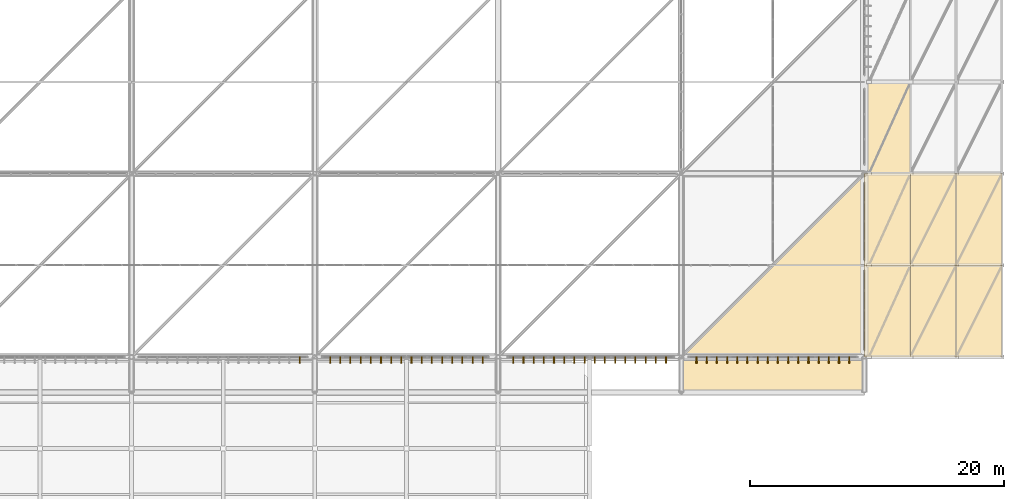
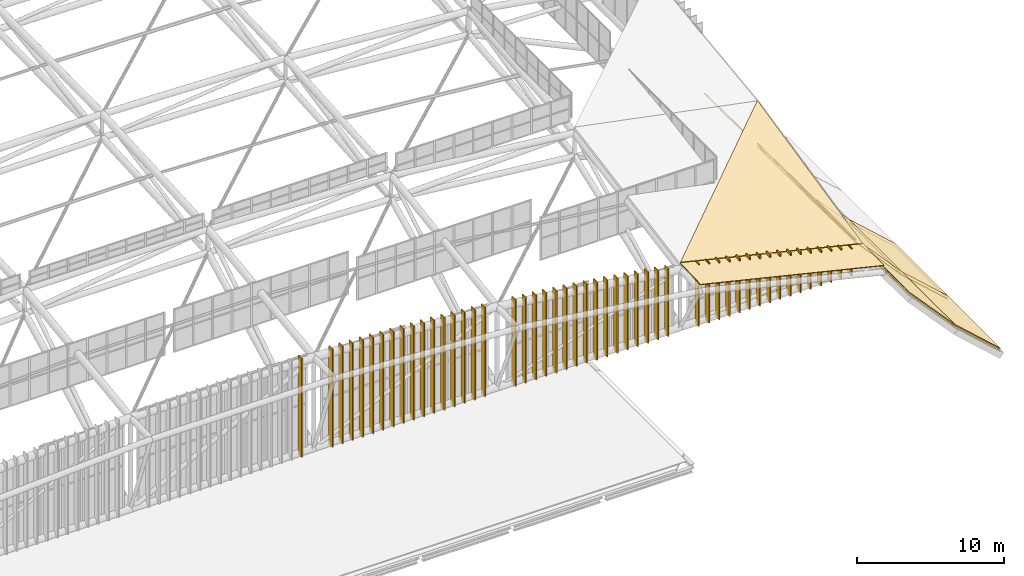
# One storey, part 389 of 397: 64 coverings.
"""IFC4 building model written with IfcOpenShell, lengths in metres."""

from ifc_helpers import new_model, si_unit, direction, frame, origin, origin_2d, place, context, subcontext, project, spatial, polyline, rectangle, outline, extrude, material, layer, layer_set, type_object, element, save


model = new_model("IFC4")

# Units and contexts
model_context = context("Model", 3, precision=1e-05, world=origin(), true_north=direction((0.0, 1.0)))
body_context = subcontext(model_context, "Body", "Model", "MODEL_VIEW")
ifc_project = project(units=[si_unit("LENGTHUNIT", "METRE"), si_unit("AREAUNIT", "SQUARE_METRE"), si_unit("VOLUMEUNIT", "CUBIC_METRE"), si_unit("PLANEANGLEUNIT", "RADIAN"), si_unit("MASSUNIT", "GRAM", prefix="KILO")], contexts=[model_context])

# Site, building, storey
site_placement = place(None, origin())
site = spatial("IfcSite", under=ifc_project, at=site_placement, CompositionType="ELEMENT")
building_placement = place(site_placement, origin())
building = spatial("IfcBuilding", under=site, at=building_placement, Name="Qandorah Velis Arena", CompositionType="ELEMENT")
storey_placement = place(building_placement, frame((0.0, 0.0, 27.5)))
storey = spatial("IfcBuildingStorey", under=building, at=storey_placement, Name="RF", CompositionType="ELEMENT", Elevation=27.5)

# Coverings
ifc_material_1 = material(Name="Champagne-bronze anodized aluminium 6063-T6", Category="aluminium")
ifc_layer_1 = layer(ifc_material_1, 0.0849609375)
ifc_layer_set_1 = layer_set([ifc_layer_1], Name="Champagne-bronze anodized aluminium 6063-T6")
covering_type_1 = type_object("IfcCoveringType", Name="ARC-COV-FIN520", PredefinedType="CLADDING", material=ifc_layer_set_1)
covering_1_placement = place(storey_placement, frame((70.800048828125, 14.14501953125, -0.009765625), z_axis=(0.0, 0.0, 1.0), x_axis=(1.0, 0.0, 0.0)))
element("IfcCovering", 1, at=covering_1_placement, inside=storey, type_object=covering_type_1, Name="Arched crown champagne-bronze solar fin 3.4.16", PredefinedType="CLADDING", context=body_context, shape_type="SweptSolid", body=[
    extrude(rectangle(XDim=0.0849609375, YDim=0.52001953125, at=origin_2d()), origin(), (0.0, 0.0, 1.0), 8.246826171875),
])
covering_2_placement = place(storey_placement, frame((73.199951171875, 14.14501953125, -0.01025390625), z_axis=(0.0, 0.0, 1.0), x_axis=(1.0, 0.0, 0.0)))
element("IfcCovering", 2, at=covering_2_placement, inside=storey, type_object=covering_type_1, Name="Arched crown champagne-bronze solar fin 3.5.1", PredefinedType="CLADDING", context=body_context, shape_type="SweptSolid", body=[
    extrude(rectangle(XDim=0.0849609375, YDim=0.52001953125, at=origin_2d()), origin(), (0.0, 0.0, 1.0), 8.178955078125),
])
covering_3_placement = place(storey_placement, frame((74.0, 14.14501953125, -0.01025390625), z_axis=(0.0, 0.0, 1.0), x_axis=(1.0, 0.0, 0.0)))
element("IfcCovering", 3, at=covering_3_placement, inside=storey, type_object=covering_type_1, Name="Arched crown champagne-bronze solar fin 3.5.2", PredefinedType="CLADDING", context=body_context, shape_type="SweptSolid", body=[
    extrude(rectangle(XDim=0.0849609375, YDim=0.52001953125, at=origin_2d()), origin(), (0.0, 0.0, 1.0), 8.151123046875),
])
covering_4_placement = place(storey_placement, frame((74.800048828125, 14.14501953125, -0.010009765625), z_axis=(0.0, 0.0, 1.0), x_axis=(1.0, 0.0, 0.0)))
element("IfcCovering", 4, at=covering_4_placement, inside=storey, type_object=covering_type_1, Name="Arched crown champagne-bronze solar fin 3.5.3", PredefinedType="CLADDING", context=body_context, shape_type="SweptSolid", body=[
    extrude(rectangle(XDim=0.0849609375, YDim=0.52001953125, at=origin_2d()), origin(), (0.0, 0.0, 1.0), 8.12060546875),
])
covering_5_placement = place(storey_placement, frame((75.60009765625, 14.14501953125, -0.010009765625), z_axis=(0.0, 0.0, 1.0), x_axis=(1.0, 0.0, 0.0)))
element("IfcCovering", 5, at=covering_5_placement, inside=storey, type_object=covering_type_1, Name="Arched crown champagne-bronze solar fin 3.5.4", PredefinedType="CLADDING", context=body_context, shape_type="SweptSolid", body=[
    extrude(rectangle(XDim=0.0849609375, YDim=0.52001953125, at=origin_2d()), origin(), (0.0, 0.0, 1.0), 8.08740234375),
])
covering_6_placement = place(storey_placement, frame((76.39990234375, 14.14501953125, -0.01025390625), z_axis=(0.0, 0.0, 1.0), x_axis=(1.0, 0.0, 0.0)))
element("IfcCovering", 6, at=covering_6_placement, inside=storey, type_object=covering_type_1, Name="Arched crown champagne-bronze solar fin 3.5.5", PredefinedType="CLADDING", context=body_context, shape_type="SweptSolid", body=[
    extrude(rectangle(XDim=0.0849609375, YDim=0.52001953125, at=origin_2d()), origin(), (0.0, 0.0, 1.0), 8.051513671875),
])
covering_7_placement = place(storey_placement, frame((77.199951171875, 14.14501953125, -0.01025390625), z_axis=(0.0, 0.0, 1.0), x_axis=(1.0, 0.0, 0.0)))
element("IfcCovering", 7, at=covering_7_placement, inside=storey, type_object=covering_type_1, Name="Arched crown champagne-bronze solar fin 3.5.6", PredefinedType="CLADDING", context=body_context, shape_type="SweptSolid", body=[
    extrude(rectangle(XDim=0.0849609375, YDim=0.52001953125, at=origin_2d()), origin(), (0.0, 0.0, 1.0), 8.012939453125),
])
covering_8_placement = place(storey_placement, frame((78.0, 14.14501953125, -0.01025390625), z_axis=(0.0, 0.0, 1.0), x_axis=(1.0, 0.0, 0.0)))
element("IfcCovering", 8, at=covering_8_placement, inside=storey, type_object=covering_type_1, Name="Arched crown champagne-bronze solar fin 3.5.7", PredefinedType="CLADDING", context=body_context, shape_type="SweptSolid", body=[
    extrude(rectangle(XDim=0.0849609375, YDim=0.52001953125, at=origin_2d()), origin(), (0.0, 0.0, 1.0), 7.971435546875),
])
covering_9_placement = place(storey_placement, frame((78.800048828125, 14.14501953125, -0.01025390625), z_axis=(0.0, 0.0, 1.0), x_axis=(1.0, 0.0, 0.0)))
element("IfcCovering", 9, at=covering_9_placement, inside=storey, type_object=covering_type_1, Name="Arched crown champagne-bronze solar fin 3.5.8", PredefinedType="CLADDING", context=body_context, shape_type="SweptSolid", body=[
    extrude(rectangle(XDim=0.0849609375, YDim=0.52001953125, at=origin_2d()), origin(), (0.0, 0.0, 1.0), 7.927490234375),
])
covering_10_placement = place(storey_placement, frame((79.60009765625, 14.14501953125, -0.010009765625), z_axis=(0.0, 0.0, 1.0), x_axis=(1.0, 0.0, 0.0)))
element("IfcCovering", 10, at=covering_10_placement, inside=storey, type_object=covering_type_1, Name="Arched crown champagne-bronze solar fin 3.5.9", PredefinedType="CLADDING", context=body_context, shape_type="SweptSolid", body=[
    extrude(rectangle(XDim=0.0849609375, YDim=0.52001953125, at=origin_2d()), origin(), (0.0, 0.0, 1.0), 7.88037109375),
])
covering_11_placement = place(storey_placement, frame((80.39990234375, 14.14501953125, -0.009765625), z_axis=(0.0, 0.0, 1.0), x_axis=(1.0, 0.0, 0.0)))
element("IfcCovering", 11, at=covering_11_placement, inside=storey, type_object=covering_type_1, Name="Arched crown champagne-bronze solar fin 3.5.10", PredefinedType="CLADDING", context=body_context, shape_type="SweptSolid", body=[
    extrude(rectangle(XDim=0.0849609375, YDim=0.52001953125, at=origin_2d()), origin(), (0.0, 0.0, 1.0), 7.830322265625),
])
covering_12_placement = place(storey_placement, frame((81.199951171875, 14.14501953125, -0.009765625), z_axis=(0.0, 0.0, 1.0), x_axis=(1.0, 0.0, 0.0)))
element("IfcCovering", 12, at=covering_12_placement, inside=storey, type_object=covering_type_1, Name="Arched crown champagne-bronze solar fin 3.5.11", PredefinedType="CLADDING", context=body_context, shape_type="SweptSolid", body=[
    extrude(rectangle(XDim=0.0849609375, YDim=0.52001953125, at=origin_2d()), origin(), (0.0, 0.0, 1.0), 7.777587890625),
])
covering_13_placement = place(storey_placement, frame((82.0, 14.14501953125, -0.010009765625), z_axis=(0.0, 0.0, 1.0), x_axis=(1.0, 0.0, 0.0)))
element("IfcCovering", 13, at=covering_13_placement, inside=storey, type_object=covering_type_1, Name="Arched crown champagne-bronze solar fin 3.5.12", PredefinedType="CLADDING", context=body_context, shape_type="SweptSolid", body=[
    extrude(rectangle(XDim=0.0849609375, YDim=0.52001953125, at=origin_2d()), origin(), (0.0, 0.0, 1.0), 7.7216796875),
])
covering_14_placement = place(storey_placement, frame((82.800048828125, 14.14501953125, -0.01025390625), z_axis=(0.0, 0.0, 1.0), x_axis=(1.0, 0.0, 0.0)))
element("IfcCovering", 14, at=covering_14_placement, inside=storey, type_object=covering_type_1, Name="Arched crown champagne-bronze solar fin 3.5.13", PredefinedType="CLADDING", context=body_context, shape_type="SweptSolid", body=[
    extrude(rectangle(XDim=0.0849609375, YDim=0.52001953125, at=origin_2d()), origin(), (0.0, 0.0, 1.0), 7.662841796875),
])
covering_15_placement = place(storey_placement, frame((83.60009765625, 14.14501953125, -0.01025390625), z_axis=(0.0, 0.0, 1.0), x_axis=(1.0, 0.0, 0.0)))
element("IfcCovering", 15, at=covering_15_placement, inside=storey, type_object=covering_type_1, Name="Arched crown champagne-bronze solar fin 3.5.14", PredefinedType="CLADDING", context=body_context, shape_type="SweptSolid", body=[
    extrude(rectangle(XDim=0.0849609375, YDim=0.52001953125, at=origin_2d()), origin(), (0.0, 0.0, 1.0), 7.600830078125),
])
covering_16_placement = place(storey_placement, frame((84.39990234375, 14.14501953125, -0.01025390625), z_axis=(0.0, 0.0, 1.0), x_axis=(1.0, 0.0, 0.0)))
element("IfcCovering", 16, at=covering_16_placement, inside=storey, type_object=covering_type_1, Name="Arched crown champagne-bronze solar fin 3.5.15", PredefinedType="CLADDING", context=body_context, shape_type="SweptSolid", body=[
    extrude(rectangle(XDim=0.0849609375, YDim=0.52001953125, at=origin_2d()), origin(), (0.0, 0.0, 1.0), 7.535888671875),
])
covering_17_placement = place(storey_placement, frame((85.199951171875, 14.14501953125, -0.010009765625), z_axis=(0.0, 0.0, 1.0), x_axis=(1.0, 0.0, 0.0)))
element("IfcCovering", 17, at=covering_17_placement, inside=storey, type_object=covering_type_1, Name="Arched crown champagne-bronze solar fin 3.5.16", PredefinedType="CLADDING", context=body_context, shape_type="SweptSolid", body=[
    extrude(rectangle(XDim=0.0849609375, YDim=0.52001953125, at=origin_2d()), origin(), (0.0, 0.0, 1.0), 7.4677734375),
])
covering_18_placement = place(storey_placement, frame((87.60009765625, 14.14501953125, -0.01025390625), z_axis=(0.0, 0.0, 1.0), x_axis=(1.0, 0.0, 0.0)))
element("IfcCovering", 18, at=covering_18_placement, inside=storey, type_object=covering_type_1, Name="Arched crown champagne-bronze solar fin 3.6.1", PredefinedType="CLADDING", context=body_context, shape_type="SweptSolid", body=[
    extrude(rectangle(XDim=0.0849609375, YDim=0.52001953125, at=origin_2d()), origin(), (0.0, 0.0, 1.0), 7.243408203125),
])
covering_19_placement = place(storey_placement, frame((88.39990234375, 14.14501953125, -0.01025390625), z_axis=(0.0, 0.0, 1.0), x_axis=(1.0, 0.0, 0.0)))
element("IfcCovering", 19, at=covering_19_placement, inside=storey, type_object=covering_type_1, Name="Arched crown champagne-bronze solar fin 3.6.2", PredefinedType="CLADDING", context=body_context, shape_type="SweptSolid", body=[
    extrude(rectangle(XDim=0.0849609375, YDim=0.52001953125, at=origin_2d()), origin(), (0.0, 0.0, 1.0), 7.161865234375),
])
covering_20_placement = place(storey_placement, frame((89.199951171875, 14.14501953125, -0.01025390625), z_axis=(0.0, 0.0, 1.0), x_axis=(1.0, 0.0, 0.0)))
element("IfcCovering", 20, at=covering_20_placement, inside=storey, type_object=covering_type_1, Name="Arched crown champagne-bronze solar fin 3.6.3", PredefinedType="CLADDING", context=body_context, shape_type="SweptSolid", body=[
    extrude(rectangle(XDim=0.0849609375, YDim=0.52001953125, at=origin_2d()), origin(), (0.0, 0.0, 1.0), 7.076904296875),
])
covering_21_placement = place(storey_placement, frame((90.0, 14.14501953125, -0.010009765625), z_axis=(0.0, 0.0, 1.0), x_axis=(1.0, 0.0, 0.0)))
element("IfcCovering", 21, at=covering_21_placement, inside=storey, type_object=covering_type_1, Name="Arched crown champagne-bronze solar fin 3.6.4", PredefinedType="CLADDING", context=body_context, shape_type="SweptSolid", body=[
    extrude(rectangle(XDim=0.0849609375, YDim=0.52001953125, at=origin_2d()), origin(), (0.0, 0.0, 1.0), 6.98828125),
])
covering_22_placement = place(storey_placement, frame((90.800048828125, 14.14501953125, -0.010009765625), z_axis=(0.0, 0.0, 1.0), x_axis=(1.0, 0.0, 0.0)))
element("IfcCovering", 22, at=covering_22_placement, inside=storey, type_object=covering_type_1, Name="Arched crown champagne-bronze solar fin 3.6.5", PredefinedType="CLADDING", context=body_context, shape_type="SweptSolid", body=[
    extrude(rectangle(XDim=0.0849609375, YDim=0.52001953125, at=origin_2d()), origin(), (0.0, 0.0, 1.0), 6.89599609375),
])
covering_23_placement = place(storey_placement, frame((91.60009765625, 14.14501953125, -0.010009765625), z_axis=(0.0, 0.0, 1.0), x_axis=(1.0, 0.0, 0.0)))
element("IfcCovering", 23, at=covering_23_placement, inside=storey, type_object=covering_type_1, Name="Arched crown champagne-bronze solar fin 3.6.6", PredefinedType="CLADDING", context=body_context, shape_type="SweptSolid", body=[
    extrude(rectangle(XDim=0.0849609375, YDim=0.52001953125, at=origin_2d()), origin(), (0.0, 0.0, 1.0), 6.80029296875),
])
covering_24_placement = place(storey_placement, frame((92.39990234375, 14.14501953125, -0.010009765625), z_axis=(0.0, 0.0, 1.0), x_axis=(1.0, 0.0, 0.0)))
element("IfcCovering", 24, at=covering_24_placement, inside=storey, type_object=covering_type_1, Name="Arched crown champagne-bronze solar fin 3.6.7", PredefinedType="CLADDING", context=body_context, shape_type="SweptSolid", body=[
    extrude(rectangle(XDim=0.0849609375, YDim=0.52001953125, at=origin_2d()), origin(), (0.0, 0.0, 1.0), 6.70068359375),
])
covering_25_placement = place(storey_placement, frame((93.199951171875, 14.14501953125, -0.009765625), z_axis=(0.0, 0.0, 1.0), x_axis=(1.0, 0.0, 0.0)))
element("IfcCovering", 25, at=covering_25_placement, inside=storey, type_object=covering_type_1, Name="Arched crown champagne-bronze solar fin 3.6.8", PredefinedType="CLADDING", context=body_context, shape_type="SweptSolid", body=[
    extrude(rectangle(XDim=0.0849609375, YDim=0.52001953125, at=origin_2d()), origin(), (0.0, 0.0, 1.0), 6.597412109375),
])
covering_26_placement = place(storey_placement, frame((94.0, 14.14501953125, -0.010009765625), z_axis=(0.0, 0.0, 1.0), x_axis=(1.0, 0.0, 0.0)))
element("IfcCovering", 26, at=covering_26_placement, inside=storey, type_object=covering_type_1, Name="Arched crown champagne-bronze solar fin 3.6.9", PredefinedType="CLADDING", context=body_context, shape_type="SweptSolid", body=[
    extrude(rectangle(XDim=0.0849609375, YDim=0.52001953125, at=origin_2d()), origin(), (0.0, 0.0, 1.0), 6.490234375),
])
covering_27_placement = place(storey_placement, frame((94.800048828125, 14.14501953125, -0.01025390625), z_axis=(0.0, 0.0, 1.0), x_axis=(1.0, 0.0, 0.0)))
element("IfcCovering", 27, at=covering_27_placement, inside=storey, type_object=covering_type_1, Name="Arched crown champagne-bronze solar fin 3.6.10", PredefinedType="CLADDING", context=body_context, shape_type="SweptSolid", body=[
    extrude(rectangle(XDim=0.0849609375, YDim=0.52001953125, at=origin_2d()), origin(), (0.0, 0.0, 1.0), 6.379150390625),
])
covering_28_placement = place(storey_placement, frame((95.60009765625, 14.14501953125, -0.01025390625), z_axis=(0.0, 0.0, 1.0), x_axis=(1.0, 0.0, 0.0)))
element("IfcCovering", 28, at=covering_28_placement, inside=storey, type_object=covering_type_1, Name="Arched crown champagne-bronze solar fin 3.6.11", PredefinedType="CLADDING", context=body_context, shape_type="SweptSolid", body=[
    extrude(rectangle(XDim=0.0849609375, YDim=0.52001953125, at=origin_2d()), origin(), (0.0, 0.0, 1.0), 6.263916015625),
])
covering_29_placement = place(storey_placement, frame((96.39990234375, 14.14501953125, -0.01025390625), z_axis=(0.0, 0.0, 1.0), x_axis=(1.0, 0.0, 0.0)))
element("IfcCovering", 29, at=covering_29_placement, inside=storey, type_object=covering_type_1, Name="Arched crown champagne-bronze solar fin 3.6.12", PredefinedType="CLADDING", context=body_context, shape_type="SweptSolid", body=[
    extrude(rectangle(XDim=0.0849609375, YDim=0.52001953125, at=origin_2d()), origin(), (0.0, 0.0, 1.0), 6.144775390625),
])
covering_30_placement = place(storey_placement, frame((97.199951171875, 14.14501953125, -0.01025390625), z_axis=(0.0, 0.0, 1.0), x_axis=(1.0, 0.0, 0.0)))
element("IfcCovering", 30, at=covering_30_placement, inside=storey, type_object=covering_type_1, Name="Arched crown champagne-bronze solar fin 3.6.13", PredefinedType="CLADDING", context=body_context, shape_type="SweptSolid", body=[
    extrude(rectangle(XDim=0.0849609375, YDim=0.52001953125, at=origin_2d()), origin(), (0.0, 0.0, 1.0), 6.021240234375),
])
covering_31_placement = place(storey_placement, frame((98.0, 14.14501953125, -0.010009765625), z_axis=(0.0, 0.0, 1.0), x_axis=(1.0, 0.0, 0.0)))
element("IfcCovering", 31, at=covering_31_placement, inside=storey, type_object=covering_type_1, Name="Arched crown champagne-bronze solar fin 3.6.14", PredefinedType="CLADDING", context=body_context, shape_type="SweptSolid", body=[
    extrude(rectangle(XDim=0.0849609375, YDim=0.52001953125, at=origin_2d()), origin(), (0.0, 0.0, 1.0), 5.8935546875),
])
covering_32_placement = place(storey_placement, frame((98.800048828125, 14.14501953125, -0.01025390625), z_axis=(0.0, 0.0, 1.0), x_axis=(1.0, 0.0, 0.0)))
element("IfcCovering", 32, at=covering_32_placement, inside=storey, type_object=covering_type_1, Name="Arched crown champagne-bronze solar fin 3.6.15", PredefinedType="CLADDING", context=body_context, shape_type="SweptSolid", body=[
    extrude(rectangle(XDim=0.0849609375, YDim=0.52001953125, at=origin_2d()), origin(), (0.0, 0.0, 1.0), 5.761474609375),
])
covering_33_placement = place(storey_placement, frame((99.60009765625, 14.14501953125, -0.010009765625), z_axis=(0.0, 0.0, 1.0), x_axis=(1.0, 0.0, 0.0)))
element("IfcCovering", 33, at=covering_33_placement, inside=storey, type_object=covering_type_1, Name="Arched crown champagne-bronze solar fin 3.6.16", PredefinedType="CLADDING", context=body_context, shape_type="SweptSolid", body=[
    extrude(rectangle(XDim=0.0849609375, YDim=0.52001953125, at=origin_2d()), origin(), (0.0, 0.0, 1.0), 5.625),
])
covering_34_placement = place(storey_placement, frame((102.0, 14.14501953125, -0.010009765625), z_axis=(0.0, 0.0, 1.0), x_axis=(1.0, 0.0, 0.0)))
element("IfcCovering", 34, at=covering_34_placement, inside=storey, type_object=covering_type_1, Name="Arched crown champagne-bronze solar fin 3.7.1", PredefinedType="CLADDING", context=body_context, shape_type="SweptSolid", body=[
    extrude(rectangle(XDim=0.0849609375, YDim=0.52001953125, at=origin_2d()), origin(), (0.0, 0.0, 1.0), 5.1884765625),
])
covering_35_placement = place(storey_placement, frame((102.800048828125, 14.14501953125, -0.01025390625), z_axis=(0.0, 0.0, 1.0), x_axis=(1.0, 0.0, 0.0)))
element("IfcCovering", 35, at=covering_35_placement, inside=storey, type_object=covering_type_1, Name="Arched crown champagne-bronze solar fin 3.7.2", PredefinedType="CLADDING", context=body_context, shape_type="SweptSolid", body=[
    extrude(rectangle(XDim=0.0849609375, YDim=0.52001953125, at=origin_2d()), origin(), (0.0, 0.0, 1.0), 5.033447265625),
])
covering_36_placement = place(storey_placement, frame((103.60009765625, 14.14501953125, -0.009765625), z_axis=(0.0, 0.0, 1.0), x_axis=(1.0, 0.0, 0.0)))
element("IfcCovering", 36, at=covering_36_placement, inside=storey, type_object=covering_type_1, Name="Arched crown champagne-bronze solar fin 3.7.3", PredefinedType="CLADDING", context=body_context, shape_type="SweptSolid", body=[
    extrude(rectangle(XDim=0.0849609375, YDim=0.52001953125, at=origin_2d()), origin(), (0.0, 0.0, 1.0), 4.873779296875),
])
covering_37_placement = place(storey_placement, frame((104.39990234375, 14.14501953125, -0.010009765625), z_axis=(0.0, 0.0, 1.0), x_axis=(1.0, 0.0, 0.0)))
element("IfcCovering", 37, at=covering_37_placement, inside=storey, type_object=covering_type_1, Name="Arched crown champagne-bronze solar fin 3.7.4", PredefinedType="CLADDING", context=body_context, shape_type="SweptSolid", body=[
    extrude(rectangle(XDim=0.0849609375, YDim=0.52001953125, at=origin_2d()), origin(), (0.0, 0.0, 1.0), 4.708984375),
])
covering_38_placement = place(storey_placement, frame((105.199951171875, 14.14501953125, -0.010009765625), z_axis=(0.0, 0.0, 1.0), x_axis=(1.0, 0.0, 0.0)))
element("IfcCovering", 38, at=covering_38_placement, inside=storey, type_object=covering_type_1, Name="Arched crown champagne-bronze solar fin 3.7.5", PredefinedType="CLADDING", context=body_context, shape_type="SweptSolid", body=[
    extrude(rectangle(XDim=0.0849609375, YDim=0.52001953125, at=origin_2d()), origin(), (0.0, 0.0, 1.0), 4.53955078125),
])
covering_39_placement = place(storey_placement, frame((106.0, 14.14501953125, -0.010009765625), z_axis=(0.0, 0.0, 1.0), x_axis=(1.0, 0.0, 0.0)))
element("IfcCovering", 39, at=covering_39_placement, inside=storey, type_object=covering_type_1, Name="Arched crown champagne-bronze solar fin 3.7.6", PredefinedType="CLADDING", context=body_context, shape_type="SweptSolid", body=[
    extrude(rectangle(XDim=0.0849609375, YDim=0.52001953125, at=origin_2d()), origin(), (0.0, 0.0, 1.0), 4.36474609375),
])
covering_40_placement = place(storey_placement, frame((106.800048828125, 14.14501953125, -0.009765625), z_axis=(0.0, 0.0, 1.0), x_axis=(1.0, 0.0, 0.0)))
element("IfcCovering", 40, at=covering_40_placement, inside=storey, type_object=covering_type_1, Name="Arched crown champagne-bronze solar fin 3.7.7", PredefinedType="CLADDING", context=body_context, shape_type="SweptSolid", body=[
    extrude(rectangle(XDim=0.0849609375, YDim=0.52001953125, at=origin_2d()), origin(), (0.0, 0.0, 1.0), 4.184814453125),
])
covering_41_placement = place(storey_placement, frame((107.60009765625, 14.14501953125, -0.01025390625), z_axis=(0.0, 0.0, 1.0), x_axis=(1.0, 0.0, 0.0)))
element("IfcCovering", 41, at=covering_41_placement, inside=storey, type_object=covering_type_1, Name="Arched crown champagne-bronze solar fin 3.7.8", PredefinedType="CLADDING", context=body_context, shape_type="SweptSolid", body=[
    extrude(rectangle(XDim=0.0849609375, YDim=0.52001953125, at=origin_2d()), origin(), (0.0, 0.0, 1.0), 3.999755859375),
])
covering_42_placement = place(storey_placement, frame((108.39990234375, 14.14501953125, -0.010009765625), z_axis=(0.0, 0.0, 1.0), x_axis=(1.0, 0.0, 0.0)))
element("IfcCovering", 42, at=covering_42_placement, inside=storey, type_object=covering_type_1, Name="Arched crown champagne-bronze solar fin 3.7.9", PredefinedType="CLADDING", context=body_context, shape_type="SweptSolid", body=[
    extrude(rectangle(XDim=0.0849609375, YDim=0.52001953125, at=origin_2d()), origin(), (0.0, 0.0, 1.0), 3.80908203125),
])
covering_43_placement = place(storey_placement, frame((109.199951171875, 14.14501953125, -0.010009765625), z_axis=(0.0, 0.0, 1.0), x_axis=(1.0, 0.0, 0.0)))
element("IfcCovering", 43, at=covering_43_placement, inside=storey, type_object=covering_type_1, Name="Arched crown champagne-bronze solar fin 3.7.10", PredefinedType="CLADDING", context=body_context, shape_type="SweptSolid", body=[
    extrude(rectangle(XDim=0.0849609375, YDim=0.52001953125, at=origin_2d()), origin(), (0.0, 0.0, 1.0), 3.61328125),
])
covering_44_placement = place(storey_placement, frame((110.0, 14.14501953125, -0.010009765625), z_axis=(0.0, 0.0, 1.0), x_axis=(1.0, 0.0, 0.0)))
element("IfcCovering", 44, at=covering_44_placement, inside=storey, type_object=covering_type_1, Name="Arched crown champagne-bronze solar fin 3.7.11", PredefinedType="CLADDING", context=body_context, shape_type="SweptSolid", body=[
    extrude(rectangle(XDim=0.0849609375, YDim=0.52001953125, at=origin_2d()), origin(), (0.0, 0.0, 1.0), 3.41162109375),
])
covering_45_placement = place(storey_placement, frame((110.800048828125, 14.14501953125, -0.010009765625), z_axis=(0.0, 0.0, 1.0), x_axis=(1.0, 0.0, 0.0)))
element("IfcCovering", 45, at=covering_45_placement, inside=storey, type_object=covering_type_1, Name="Arched crown champagne-bronze solar fin 3.7.12", PredefinedType="CLADDING", context=body_context, shape_type="SweptSolid", body=[
    extrude(rectangle(XDim=0.0849609375, YDim=0.52001953125, at=origin_2d()), origin(), (0.0, 0.0, 1.0), 3.20458984375),
])
covering_46_placement = place(storey_placement, frame((111.60009765625, 14.14501953125, -0.010009765625), z_axis=(0.0, 0.0, 1.0), x_axis=(1.0, 0.0, 0.0)))
element("IfcCovering", 46, at=covering_46_placement, inside=storey, type_object=covering_type_1, Name="Arched crown champagne-bronze solar fin 3.7.13", PredefinedType="CLADDING", context=body_context, shape_type="SweptSolid", body=[
    extrude(rectangle(XDim=0.0849609375, YDim=0.52001953125, at=origin_2d()), origin(), (0.0, 0.0, 1.0), 2.99169921875),
])
covering_47_placement = place(storey_placement, frame((112.39990234375, 14.14501953125, -0.009765625), z_axis=(0.0, 0.0, 1.0), x_axis=(1.0, 0.0, 0.0)))
element("IfcCovering", 47, at=covering_47_placement, inside=storey, type_object=covering_type_1, Name="Arched crown champagne-bronze solar fin 3.7.14", PredefinedType="CLADDING", context=body_context, shape_type="SweptSolid", body=[
    extrude(rectangle(XDim=0.0849609375, YDim=0.52001953125, at=origin_2d()), origin(), (0.0, 0.0, 1.0), 2.772705078125),
])
covering_48_placement = place(storey_placement, frame((113.199951171875, 14.14501953125, -0.009765625), z_axis=(0.0, 0.0, 1.0), x_axis=(1.0, 0.0, 0.0)))
element("IfcCovering", 48, at=covering_48_placement, inside=storey, type_object=covering_type_1, Name="Arched crown champagne-bronze solar fin 3.7.15", PredefinedType="CLADDING", context=body_context, shape_type="SweptSolid", body=[
    extrude(rectangle(XDim=0.0849609375, YDim=0.52001953125, at=origin_2d()), origin(), (0.0, 0.0, 1.0), 2.548095703125),
])
covering_49_placement = place(storey_placement, frame((114.0, 14.14501953125, -0.010009765625), z_axis=(0.0, 0.0, 1.0), x_axis=(1.0, 0.0, 0.0)))
element("IfcCovering", 49, at=covering_49_placement, inside=storey, type_object=covering_type_1, Name="Arched crown champagne-bronze solar fin 3.7.16", PredefinedType="CLADDING", context=body_context, shape_type="SweptSolid", body=[
    extrude(rectangle(XDim=0.0849609375, YDim=0.52001953125, at=origin_2d()), origin(), (0.0, 0.0, 1.0), 2.3173828125),
])
ifc_material_2 = material(Name="Glulam GL28h", Category="wood")
ifc_layer_2 = layer(ifc_material_2, 0.06494140625)
ifc_layer_set_2 = layer_set([ifc_layer_2], Name="Glulam GL28h")
covering_type_2 = type_object("IfcCoveringType", Name="ARC-COV-GLULAM", PredefinedType="CEILING", material=ifc_layer_set_2)
covering_50_placement = place(storey_placement, frame((115.199951171875, 14.39990234375, 1.364990234375), z_axis=(0.808241926345, 0.0, 0.588850565508), x_axis=(0.588850565508, 0.0, -0.808241926345)))
element("IfcCovering", 50, at=covering_50_placement, inside=storey, type_object=covering_type_2, Name="Sweeping canopy Glulam GL28h acoustic soffit 1.01", PredefinedType="CEILING", context=body_context, shape_type="SweptSolid", body=[
    extrude(outline(polyline([(0.0, 0.0), (6.113771247117102, 0.0), (6.113771247117102, 7.2001953125), (0.0, 7.2001953125), (0.0, 0.0)])), origin(), (0.0, 0.0, -1.0), 0.06494140625),
])
covering_51_placement = place(storey_placement, frame((118.800048828125, 14.39990234375, -3.576416015625), z_axis=(0.739268079854, 0.0, 0.673411245904), x_axis=(0.673411245904, 0.0, -0.739268079854)))
element("IfcCovering", 51, at=covering_51_placement, inside=storey, type_object=covering_type_2, Name="Sweeping canopy Glulam GL28h acoustic soffit 1.02", PredefinedType="CEILING", context=body_context, shape_type="SweptSolid", body=[
    extrude(outline(polyline([(0.0, 0.0), (5.345698542343812, 0.0), (5.345698542343812, 7.200195312500002), (0.0, 7.200195312500002), (0.0, 0.0)])), origin(), (0.0, 0.0, -1.0), 0.06494140625),
])
covering_52_placement = place(storey_placement, frame((122.39990234375, 14.39990234375, -7.5283203125), z_axis=(0.670453392068, 0.0, 0.741951648738), x_axis=(0.741951648738, 0.0, -0.670453392068)))
element("IfcCovering", 52, at=covering_52_placement, inside=storey, type_object=covering_type_2, Name="Sweeping canopy Glulam GL28h acoustic soffit 1.03", PredefinedType="CEILING", context=body_context, shape_type="SweptSolid", body=[
    extrude(outline(polyline([(0.0, 0.0), (4.852199819724474, 0.0), (4.852199819724474, 7.2001953125), (0.0, 7.2001953125), (0.0, 0.0)])), origin(), (0.0, 0.0, -1.0), 0.06494140625),
])
covering_53_placement = place(storey_placement, frame((115.199951171875, 21.60009765625, 1.364990234375), z_axis=(0.808241926345, 0.0, 0.588850565508), x_axis=(0.588850565508, 0.0, -0.808241926345)))
element("IfcCovering", 53, at=covering_53_placement, inside=storey, type_object=covering_type_2, Name="Sweeping canopy Glulam GL28h acoustic soffit 2.01", PredefinedType="CEILING", context=body_context, shape_type="SweptSolid", body=[
    extrude(outline(polyline([(0.0, 0.0), (6.113771247117102, 0.0), (6.113771247117102, 7.199951171875), (0.0, 7.199951171875), (0.0, 0.0)])), origin(), (0.0, 0.0, -1.0), 0.06494140625),
])
covering_54_placement = place(storey_placement, frame((118.800048828125, 21.60009765625, -3.576416015625), z_axis=(0.739268079854, 0.0, 0.673411245904), x_axis=(0.673411245904, 0.0, -0.739268079854)))
element("IfcCovering", 54, at=covering_54_placement, inside=storey, type_object=covering_type_2, Name="Sweeping canopy Glulam GL28h acoustic soffit 2.02", PredefinedType="CEILING", context=body_context, shape_type="SweptSolid", body=[
    extrude(outline(polyline([(0.0, 0.0), (5.345698542343812, 0.0), (5.345698542343812, 7.199951171875002), (0.0, 7.199951171875002), (0.0, 0.0)])), origin(), (0.0, 0.0, -1.0), 0.06494140625),
])
covering_55_placement = place(storey_placement, frame((122.39990234375, 21.60009765625, -7.5283203125), z_axis=(0.670453392068, 0.0, 0.741951648738), x_axis=(0.741951648738, 0.0, -0.670453392068)))
element("IfcCovering", 55, at=covering_55_placement, inside=storey, type_object=covering_type_2, Name="Sweeping canopy Glulam GL28h acoustic soffit 2.03", PredefinedType="CEILING", context=body_context, shape_type="SweptSolid", body=[
    extrude(outline(polyline([(0.0, 0.0), (4.852199819724474, 0.0), (4.852199819724474, 7.199951171875), (0.0, 7.199951171875), (0.0, 0.0)])), origin(), (0.0, 0.0, -1.0), 0.06494140625),
])
covering_56_placement = place(storey_placement, frame((115.199951171875, 28.800048828125, 1.364990234375), z_axis=(0.808241926345, 0.0, 0.588850565508), x_axis=(0.588850565508, 0.0, -0.808241926345)))
element("IfcCovering", 56, at=covering_56_placement, inside=storey, type_object=covering_type_2, Name="Sweeping canopy Glulam GL28h acoustic soffit 3.01", PredefinedType="CEILING", context=body_context, shape_type="SweptSolid", body=[
    extrude(outline(polyline([(0.0, 0.0), (6.113771247117102, 0.0), (6.113771247117102, 7.199951171875), (0.0, 7.199951171875), (0.0, 0.0)])), origin(), (0.0, 0.0, -1.0), 0.06494140625),
])
ifc_material_3 = material(Name="Insulated high-albedo standing-seam aluminium roofing", Category="aluminium")
ifc_layer_3 = layer(ifc_material_3, 0.080078125)
ifc_layer_set_3 = layer_set([ifc_layer_3], Name="Insulated high-albedo standing-seam aluminium roofing")
covering_type_3 = type_object("IfcCoveringType", Name="ARC-COV-ROOF", PredefinedType="ROOFING", material=ifc_layer_set_3)
covering_57_placement = place(storey_placement, frame((115.199951171875, 14.39990234375, 1.610107421875), z_axis=(0.808241926345, 0.0, 0.588850565508), x_axis=(0.588850565508, 0.0, -0.808241926345)))
element("IfcCovering", 57, at=covering_57_placement, inside=storey, type_object=covering_type_3, Name="Sweeping canopy standing-seam roof 1.01", PredefinedType="ROOFING", context=body_context, shape_type="SweptSolid", body=[
    extrude(outline(polyline([(0.0, 0.0), (6.113771247117102, 0.0), (6.113771247117102, 7.2001953125), (0.0, 7.2001953125), (0.0, 0.0)])), origin(), (0.0, 0.0, -1.0), 0.074951171875),
])
covering_58_placement = place(storey_placement, frame((118.800048828125, 14.39990234375, -3.331298828125), z_axis=(0.739288789578, 0.0, 0.673388510151), x_axis=(0.673388510151, 0.0, -0.739288789578)))
element("IfcCovering", 58, at=covering_58_placement, inside=storey, type_object=covering_type_3, Name="Sweeping canopy standing-seam roof 1.02", PredefinedType="ROOFING", context=body_context, shape_type="SweptSolid", body=[
    extrude(outline(polyline([(0.0, 0.0), (5.345879030242957, 0.0), (5.345879030242957, 7.2001953125), (0.0, 7.2001953125), (0.0, 0.0)])), origin(), (0.0, 0.0, -1.0), 0.074951171875),
])
covering_59_placement = place(storey_placement, frame((122.39990234375, 14.39990234375, -7.283447265625), z_axis=(0.6704256924, 0.0, 0.741976678185), x_axis=(0.741976678185, 0.0, -0.6704256924)))
element("IfcCovering", 59, at=covering_59_placement, inside=storey, type_object=covering_type_3, Name="Sweeping canopy standing-seam roof 1.03", PredefinedType="ROOFING", context=body_context, shape_type="SweptSolid", body=[
    extrude(outline(polyline([(0.0, 0.0), (4.852036138195551, 0.0), (4.852036138195551, 7.2001953125), (0.0, 7.2001953125), (0.0, 0.0)])), origin(), (0.0, 0.0, -1.0), 0.074951171875),
])
covering_60_placement = place(storey_placement, frame((115.199951171875, 21.60009765625, 1.610107421875), z_axis=(0.808241926345, 0.0, 0.588850565508), x_axis=(0.588850565508, 0.0, -0.808241926345)))
element("IfcCovering", 60, at=covering_60_placement, inside=storey, type_object=covering_type_3, Name="Sweeping canopy standing-seam roof 2.01", PredefinedType="ROOFING", context=body_context, shape_type="SweptSolid", body=[
    extrude(outline(polyline([(0.0, 0.0), (6.113771247117102, 0.0), (6.113771247117102, 7.199951171875), (0.0, 7.199951171875), (0.0, 0.0)])), origin(), (0.0, 0.0, -1.0), 0.074951171875),
])
covering_61_placement = place(storey_placement, frame((118.800048828125, 21.60009765625, -3.331298828125), z_axis=(0.739288789578, 0.0, 0.673388510151), x_axis=(0.673388510151, 0.0, -0.739288789578)))
element("IfcCovering", 61, at=covering_61_placement, inside=storey, type_object=covering_type_3, Name="Sweeping canopy standing-seam roof 2.02", PredefinedType="ROOFING", context=body_context, shape_type="SweptSolid", body=[
    extrude(outline(polyline([(0.0, 0.0), (5.345879030242957, 0.0), (5.345879030242957, 7.199951171875002), (0.0, 7.199951171875002), (0.0, 0.0)])), origin(), (0.0, 0.0, -1.0), 0.074951171875),
])
covering_62_placement = place(storey_placement, frame((122.39990234375, 21.60009765625, -7.283447265625), z_axis=(0.6704256924, 0.0, 0.741976678185), x_axis=(0.741976678185, 0.0, -0.6704256924)))
element("IfcCovering", 62, at=covering_62_placement, inside=storey, type_object=covering_type_3, Name="Sweeping canopy standing-seam roof 2.03", PredefinedType="ROOFING", context=body_context, shape_type="SweptSolid", body=[
    extrude(outline(polyline([(0.0, 0.0), (4.852036138195551, 0.0), (4.852036138195551, 7.199951171875), (0.0, 7.199951171875), (0.0, 0.0)])), origin(), (0.0, 0.0, -1.0), 0.074951171875),
])
covering_63_placement = place(storey_placement, frame((100.800048828125, 11.60009765625, 5.302001953125), z_axis=(0.232972843193, -0.034661050724, 0.97186535379), x_axis=(0.972449674239, 0.0, -0.233112914856)))
element("IfcCovering", 63, at=covering_63_placement, inside=storey, type_object=covering_type_3, Name="Overhanging arena eave roof panel S-7", PredefinedType="ROOFING", context=body_context, shape_type="SweptSolid", body=[
    extrude(outline(polyline([(0.0, 0.0), (14.807863815700118, 0.0), (14.784586671614111, 2.801488030903014), (-0.023277144086006424, 2.801488030903014), (0.0, 0.0)])), origin(), (0.0, 0.0, -1.0), 0.06005859375),
])
covering_64_placement = place(storey_placement, frame((100.840087890625, 14.43994140625, 5.404052734375), z_axis=(0.227704753516, -0.211626343628, 0.950455067801), x_axis=(0.972481134567, 0.0, -0.232981636426)))
element("IfcCovering", 64, at=covering_64_placement, inside=storey, type_object=covering_type_3, Name="Arena vaulted roof covering 6.0A", PredefinedType="ROOFING", context=body_context, shape_type="SweptSolid", body=[
    extrude(outline(polyline([(0.0, 0.0), (14.725040630355764, -1.1102230246251565e-16), (13.982184143118484, 14.651924953607777), (0.0, 0.0)])), origin(), (0.0, 0.0, -1.0), 0.054931640625),
])

save(model, "model.ifc")
